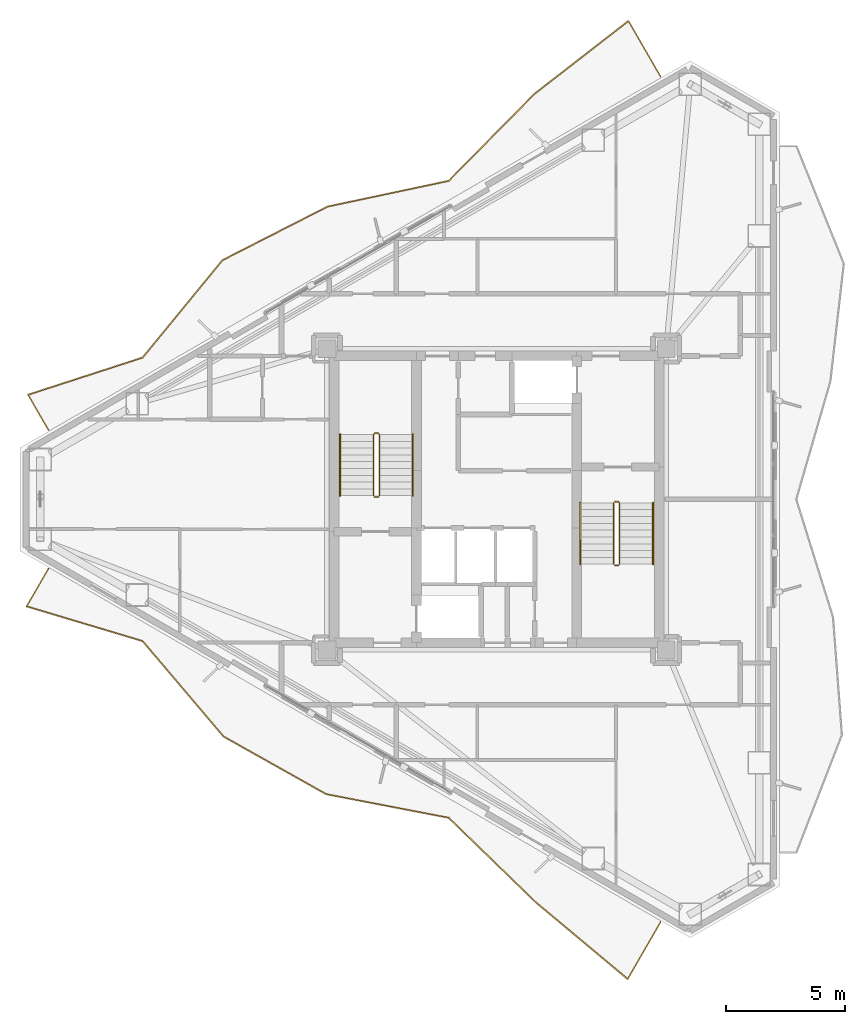
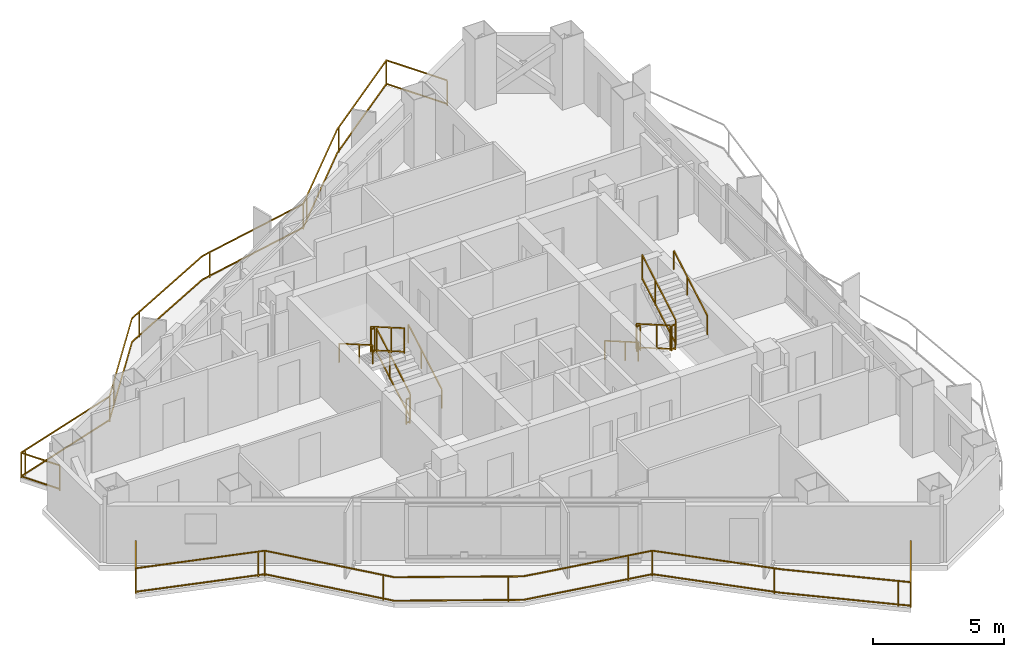
# One storey, part 21 of 22: 14 railings.
"""IFC4 building model written with IfcOpenShell, lengths in metres."""

from ifc_helpers import new_model, si_unit, direction, frame, origin, origin_2d, place, context, subcontext, project, spatial, rectangle, extrude, material, type_object, element, save


model = new_model("IFC4")

# Units and contexts
model_context = context("Model", 3, precision=1e-05, world=origin(), true_north=direction((0.0, 1.0)))
body_context = subcontext(model_context, "Body", "Model", "MODEL_VIEW")
ifc_project = project(units=[si_unit("LENGTHUNIT", "METRE"), si_unit("AREAUNIT", "SQUARE_METRE"), si_unit("VOLUMEUNIT", "CUBIC_METRE"), si_unit("PLANEANGLEUNIT", "RADIAN"), si_unit("MASSUNIT", "GRAM", prefix="KILO")], contexts=[model_context])

# Site, building, storey
site_placement = place(None, origin())
site = spatial("IfcSite", under=ifc_project, at=site_placement, CompositionType="ELEMENT")
building_placement = place(site_placement, origin())
building = spatial("IfcBuilding", under=site, at=building_placement, Name="Mersakhor Tower and Convention Hall", CompositionType="ELEMENT")
storey_placement = place(building_placement, frame((0.0, 0.0, 188.699951171875)))
storey = spatial("IfcBuildingStorey", under=building, at=storey_placement, Name="L52", CompositionType="ELEMENT", Elevation=188.699951171875)

# Railings
ifc_material_1 = material(Name="Powder-coated galvanised steel and laminated glass balustrade", Category="steel")
railing_type_1 = type_object("IfcRailingType", Name="RL-BAL-1200", PredefinedType="BALUSTRADE", material=ifc_material_1)
railing_1_placement = place(storey_placement, frame((35.86669921875, 44.44189453125, 0.0)))
element("IfcRailing", 1, at=railing_1_placement, inside=storey, type_object=railing_type_1, Name="L52 Sinusoidal Balcony Balustrade F1", PredefinedType="BALUSTRADE", context=body_context, shape_type="SweptSolid", body=[
    extrude(rectangle(XDim=0.048095703125, YDim=0.048095703125, at=origin_2d()), frame((0.0, 0.0, 1.17578125), z_axis=(-0.500024397361, 0.866011317503, 0.0), x_axis=(-0.866011317503, -0.500024397361, 0.0)), (0.0, 0.0, 1.0), 2.682861328125),
    extrude(rectangle(XDim=0.048095703125, YDim=0.048095703125, at=origin_2d()), frame((0.0, 0.0, 0.080078125), z_axis=(-0.500024397361, 0.866011317503, 0.0), x_axis=(-0.866011317503, -0.500024397361, 0.0)), (0.0, 0.0, 1.0), 2.682861328125),
    extrude(rectangle(XDim=0.048095703125, YDim=0.048095703125, at=origin_2d()), frame((-1.341552734375, 2.323486328125, 1.17578125), z_axis=(-0.790170348595, -0.612887281807, 0.0), x_axis=(0.612887281807, -0.790170348595, 0.0)), (0.0, 0.0, 1.0), 4.976806640625),
    extrude(rectangle(XDim=0.048095703125, YDim=0.048095703125, at=origin_2d()), frame((-1.341552734375, 2.323486328125, 0.080078125), z_axis=(-0.790170348595, -0.612887281807, 0.0), x_axis=(0.612887281807, -0.790170348595, 0.0)), (0.0, 0.0, 1.0), 4.976806640625),
    extrude(rectangle(XDim=0.048095703125, YDim=0.048095703125, at=origin_2d()), frame((-5.274169921875, -0.726806640625, 1.17578125), z_axis=(-0.702220775927, -0.711959255756, 0.0), x_axis=(0.711959255756, -0.702220775927, 0.0)), (0.0, 0.0, 1.0), 5.1142578125),
    extrude(rectangle(XDim=0.048095703125, YDim=0.048095703125, at=origin_2d()), frame((-5.274169921875, -0.726806640625, 0.080078125), z_axis=(-0.702220775927, -0.711959255756, 0.0), x_axis=(0.711959255756, -0.702220775927, 0.0)), (0.0, 0.0, 1.0), 5.1142578125),
    extrude(rectangle(XDim=0.048095703125, YDim=0.048095703125, at=origin_2d()), frame((-8.865478515625, -4.367919921875, 1.17578125), z_axis=(-0.978161363996, -0.20784692922, 0.0), x_axis=(0.20784692922, -0.978161363996, 0.0)), (0.0, 0.0, 1.0), 5.184814453125),
    extrude(rectangle(XDim=0.048095703125, YDim=0.048095703125, at=origin_2d()), frame((-8.865478515625, -4.367919921875, 0.080078125), z_axis=(-0.978161363996, -0.20784692922, 0.0), x_axis=(0.20784692922, -0.978161363996, 0.0)), (0.0, 0.0, 1.0), 5.184814453125),
    extrude(rectangle(XDim=0.048095703125, YDim=0.048095703125, at=origin_2d()), frame((-13.93701171875, -5.445556640625, 1.17578125), z_axis=(-0.890748388822, -0.454496763256, 0.0), x_axis=(0.454496763256, -0.890748388822, 0.0)), (0.0, 0.0, 1.0), 4.937744140625),
    extrude(rectangle(XDim=0.048095703125, YDim=0.048095703125, at=origin_2d()), frame((-13.93701171875, -5.445556640625, 0.080078125), z_axis=(-0.890748388822, -0.454496763256, 0.0), x_axis=(0.454496763256, -0.890748388822, 0.0)), (0.0, 0.0, 1.0), 4.937744140625),
    extrude(rectangle(XDim=0.048095703125, YDim=0.048095703125, at=origin_2d()), frame((-18.335205078125, -7.689697265625, 1.17578125), z_axis=(-0.634107846121, -0.773244618144, 0.0), x_axis=(0.773244618144, -0.634107846121, 0.0)), (0.0, 0.0, 1.0), 5.269287109375),
    extrude(rectangle(XDim=0.048095703125, YDim=0.048095703125, at=origin_2d()), frame((-18.335205078125, -7.689697265625, 0.080078125), z_axis=(-0.634107846121, -0.773244618144, 0.0), x_axis=(0.773244618144, -0.634107846121, 0.0)), (0.0, 0.0, 1.0), 5.269287109375),
    extrude(rectangle(XDim=0.048095703125, YDim=0.048095703125, at=origin_2d()), frame((-21.676513671875, -11.76416015625, 1.17578125), z_axis=(-0.951166725788, -0.3086775984, 0.0), x_axis=(0.3086775984, -0.951166725788, 0.0)), (0.0, 0.0, 1.0), 5.041259765625),
    extrude(rectangle(XDim=0.048095703125, YDim=0.048095703125, at=origin_2d()), frame((-21.676513671875, -11.76416015625, 0.080078125), z_axis=(-0.951166725788, -0.3086775984, 0.0), x_axis=(0.3086775984, -0.951166725788, 0.0)), (0.0, 0.0, 1.0), 5.041259765625),
    extrude(rectangle(XDim=0.048095703125, YDim=0.048095703125, at=origin_2d()), frame((-26.4716796875, -13.3203125, 1.17578125), z_axis=(0.499954529098, -0.86605165483, 0.0), x_axis=(0.86605165483, 0.499954529098, 0.0)), (0.0, 0.0, 1.0), 1.699951171875),
    extrude(rectangle(XDim=0.048095703125, YDim=0.048095703125, at=origin_2d()), frame((-26.4716796875, -13.3203125, 0.080078125), z_axis=(0.499954529098, -0.86605165483, 0.0), x_axis=(0.86605165483, 0.499954529098, 0.0)), (0.0, 0.0, 1.0), 1.699951171875),
    extrude(rectangle(XDim=0.0419921875, YDim=0.0419921875, at=origin_2d()), origin(), (0.0, 0.0, 1.0), 1.15185546875),
    extrude(rectangle(XDim=0.0419921875, YDim=0.0419921875, at=origin_2d()), frame((-1.341552734375, 2.323486328125, 0.0)), (0.0, 0.0, 1.0), 1.15185546875),
    extrude(rectangle(XDim=0.0419921875, YDim=0.0419921875, at=origin_2d()), frame((-5.13427734375, -0.618408203125, 0.0)), (0.0, 0.0, 1.0), 1.15185546875),
    extrude(rectangle(XDim=0.0419921875, YDim=0.0419921875, at=origin_2d()), frame((-8.5205078125, -4.018310546875, 0.0)), (0.0, 0.0, 1.0), 1.15185546875),
    extrude(rectangle(XDim=0.0419921875, YDim=0.0419921875, at=origin_2d()), frame((-8.865478515625, -4.367919921875, 0.0)), (0.0, 0.0, 1.0), 1.15185546875),
    extrude(rectangle(XDim=0.0419921875, YDim=0.0419921875, at=origin_2d()), frame((-13.560546875, -5.365478515625, 0.0)), (0.0, 0.0, 1.0), 1.15185546875),
    extrude(rectangle(XDim=0.0419921875, YDim=0.0419921875, at=origin_2d()), frame((-17.869873046875, -7.4521484375, 0.0)), (0.0, 0.0, 1.0), 1.15185546875),
    extrude(rectangle(XDim=0.0419921875, YDim=0.0419921875, at=origin_2d()), frame((-21.047607421875, -10.997314453125, 0.0)), (0.0, 0.0, 1.0), 1.15185546875),
    extrude(rectangle(XDim=0.0419921875, YDim=0.0419921875, at=origin_2d()), frame((-21.676513671875, -11.76416015625, 0.0)), (0.0, 0.0, 1.0), 1.15185546875),
    extrude(rectangle(XDim=0.0419921875, YDim=0.0419921875, at=origin_2d()), frame((-26.2421875, -13.245849609375, 0.0)), (0.0, 0.0, 1.0), 1.15185546875),
    extrude(rectangle(XDim=0.0419921875, YDim=0.0419921875, at=origin_2d()), frame((-26.4716796875, -13.3203125, 0.0)), (0.0, 0.0, 1.0), 1.15185546875),
    extrude(rectangle(XDim=0.0419921875, YDim=0.0419921875, at=origin_2d()), frame((-25.621826171875, -14.79248046875, 0.0)), (0.0, 0.0, 1.0), 1.15185546875),
])
railing_2_placement = place(storey_placement, frame((10.244873046875, 23.8505859375, 0.0)))
element("IfcRailing", 2, at=railing_2_placement, inside=storey, type_object=railing_type_1, Name="L52 Sinusoidal Balcony Balustrade F3", PredefinedType="BALUSTRADE", context=body_context, shape_type="SweptSolid", body=[
    extrude(rectangle(XDim=0.048095703125, YDim=0.048095703125, at=origin_2d()), frame((0.0, 0.0, 1.17578125), z_axis=(-0.499977996243, -0.866038107287, 0.0), x_axis=(0.866038107287, -0.499977996243, 0.0)), (0.0, 0.0, 1.0), 1.8193359375),
    extrude(rectangle(XDim=0.048095703125, YDim=0.048095703125, at=origin_2d()), frame((0.0, 0.0, 0.080078125), z_axis=(-0.499977996243, -0.866038107287, 0.0), x_axis=(0.866038107287, -0.499977996243, 0.0)), (0.0, 0.0, 1.0), 1.8193359375),
    extrude(rectangle(XDim=0.048095703125, YDim=0.048095703125, at=origin_2d()), frame((-0.90966796875, -1.57568359375, 1.17578125), z_axis=(0.958035531612, -0.286649472649, 0.0), x_axis=(0.286649472649, 0.958035531612, 0.0)), (0.0, 0.0, 1.0), 5.067626953125),
    extrude(rectangle(XDim=0.048095703125, YDim=0.048095703125, at=origin_2d()), frame((-0.90966796875, -1.57568359375, 0.080078125), z_axis=(0.958035531612, -0.286649472649, 0.0), x_axis=(0.286649472649, 0.958035531612, 0.0)), (0.0, 0.0, 1.0), 5.067626953125),
    extrude(rectangle(XDim=0.048095703125, YDim=0.048095703125, at=origin_2d()), frame((3.9453125, -3.0283203125, 1.17578125), z_axis=(0.646859167824, -0.762609478699, 0.0), x_axis=(0.762609478699, 0.646859167824, 0.0)), (0.0, 0.0, 1.0), 5.237060546875),
    extrude(rectangle(XDim=0.048095703125, YDim=0.048095703125, at=origin_2d()), frame((3.9453125, -3.0283203125, 0.080078125), z_axis=(0.646859167824, -0.762609478699, 0.0), x_axis=(0.762609478699, 0.646859167824, 0.0)), (0.0, 0.0, 1.0), 5.237060546875),
    extrude(rectangle(XDim=0.048095703125, YDim=0.048095703125, at=origin_2d()), frame((7.3330078125, -7.022216796875, 1.17578125), z_axis=(0.871929649471, -0.489631173817, 0.0), x_axis=(0.489631173817, 0.871929649471, 0.0)), (0.0, 0.0, 1.0), 4.931396484375),
    extrude(rectangle(XDim=0.048095703125, YDim=0.048095703125, at=origin_2d()), frame((7.3330078125, -7.022216796875, 0.080078125), z_axis=(0.871929649471, -0.489631173817, 0.0), x_axis=(0.489631173817, 0.871929649471, 0.0)), (0.0, 0.0, 1.0), 4.931396484375),
    extrude(rectangle(XDim=0.048095703125, YDim=0.048095703125, at=origin_2d()), frame((11.6328125, -9.436767578125, 1.17578125), z_axis=(0.981917565874, -0.189308990352, 0.0), x_axis=(0.189308990352, 0.981917565874, 0.0)), (0.0, 0.0, 1.0), 5.2177734375),
    extrude(rectangle(XDim=0.048095703125, YDim=0.048095703125, at=origin_2d()), frame((11.6328125, -9.436767578125, 0.080078125), z_axis=(0.981917565874, -0.189308990352, 0.0), x_axis=(0.189308990352, 0.981917565874, 0.0)), (0.0, 0.0, 1.0), 5.2177734375),
    extrude(rectangle(XDim=0.048095703125, YDim=0.048095703125, at=origin_2d()), frame((16.75634765625, -10.424560546875, 1.17578125), z_axis=(0.7178516704, -0.696196078202, 0.0), x_axis=(0.696196078202, 0.7178516704, 0.0)), (0.0, 0.0, 1.0), 5.08447265625),
    extrude(rectangle(XDim=0.048095703125, YDim=0.048095703125, at=origin_2d()), frame((16.75634765625, -10.424560546875, 0.080078125), z_axis=(0.7178516704, -0.696196078202, 0.0), x_axis=(0.696196078202, 0.7178516704, 0.0)), (0.0, 0.0, 1.0), 5.08447265625),
    extrude(rectangle(XDim=0.048095703125, YDim=0.048095703125, at=origin_2d()), frame((20.40625, -13.96435546875, 1.17578125), z_axis=(0.767561135423, -0.640975743213, 0.0), x_axis=(0.640975743213, 0.767561135423, 0.0)), (0.0, 0.0, 1.0), 5.0048828125),
    extrude(rectangle(XDim=0.048095703125, YDim=0.048095703125, at=origin_2d()), frame((20.40625, -13.96435546875, 0.080078125), z_axis=(0.767561135423, -0.640975743213, 0.0), x_axis=(0.640975743213, 0.767561135423, 0.0)), (0.0, 0.0, 1.0), 5.0048828125),
    extrude(rectangle(XDim=0.048095703125, YDim=0.048095703125, at=origin_2d()), frame((24.247802734375, -17.17236328125, 1.17578125), z_axis=(0.499999305434, 0.866025804792, 0.0), x_axis=(-0.866025804792, 0.499999305434, 0.0)), (0.0, 0.0, 1.0), 2.748046875),
    extrude(rectangle(XDim=0.048095703125, YDim=0.048095703125, at=origin_2d()), frame((24.247802734375, -17.17236328125, 0.080078125), z_axis=(0.499999305434, 0.866025804792, 0.0), x_axis=(-0.866025804792, 0.499999305434, 0.0)), (0.0, 0.0, 1.0), 2.748046875),
    extrude(rectangle(XDim=0.0419921875, YDim=0.0419921875, at=origin_2d()), origin(), (0.0, 0.0, 1.0), 1.15185546875),
    extrude(rectangle(XDim=0.0419921875, YDim=0.0419921875, at=origin_2d()), frame((-0.90966796875, -1.57568359375, 0.0)), (0.0, 0.0, 1.0), 1.15185546875),
    extrude(rectangle(XDim=0.0419921875, YDim=0.0419921875, at=origin_2d()), frame((3.68896484375, -2.95166015625, 0.0)), (0.0, 0.0, 1.0), 1.15185546875),
    extrude(rectangle(XDim=0.0419921875, YDim=0.0419921875, at=origin_2d()), frame((3.9453125, -3.0283203125, 0.0)), (0.0, 0.0, 1.0), 1.15185546875),
    extrude(rectangle(XDim=0.0419921875, YDim=0.0419921875, at=origin_2d()), frame((7.05029296875, -6.68896484375, 0.0)), (0.0, 0.0, 1.0), 1.15185546875),
    extrude(rectangle(XDim=0.0419921875, YDim=0.0419921875, at=origin_2d()), frame((11.13720703125, -9.158447265625, 0.0)), (0.0, 0.0, 1.0), 1.15185546875),
    extrude(rectangle(XDim=0.0419921875, YDim=0.0419921875, at=origin_2d()), frame((15.787841796875, -10.23779296875, 0.0)), (0.0, 0.0, 1.0), 1.15185546875),
    extrude(rectangle(XDim=0.0419921875, YDim=0.0419921875, at=origin_2d()), frame((16.75634765625, -10.424560546875, 0.0)), (0.0, 0.0, 1.0), 1.15185546875),
    extrude(rectangle(XDim=0.0419921875, YDim=0.0419921875, at=origin_2d()), frame((20.2021484375, -13.766357421875, 0.0)), (0.0, 0.0, 1.0), 1.15185546875),
    extrude(rectangle(XDim=0.0419921875, YDim=0.0419921875, at=origin_2d()), frame((23.8720703125, -16.858642578125, 0.0)), (0.0, 0.0, 1.0), 1.15185546875),
    extrude(rectangle(XDim=0.0419921875, YDim=0.0419921875, at=origin_2d()), frame((24.247802734375, -17.17236328125, 0.0)), (0.0, 0.0, 1.0), 1.15185546875),
    extrude(rectangle(XDim=0.0419921875, YDim=0.0419921875, at=origin_2d()), frame((25.621826171875, -14.79248046875, 0.0)), (0.0, 0.0, 1.0), 1.15185546875),
])
ifc_material_2 = material(Name="Brushed stainless steel handrail", Category="steel")
railing_type_2 = type_object("IfcRailingType", Name="RL-HR-900", PredefinedType="HANDRAIL", material=ifc_material_2)
railing_3_placement = place(storey_placement, frame((25.5, 26.89990234375, 0.1650390625)))
element("IfcRailing", 3, at=railing_3_placement, inside=storey, type_object=railing_type_2, Name="L52 ST-1 stair handrail 1", PredefinedType="HANDRAIL", context=body_context, shape_type="SweptSolid", body=[
    extrude(rectangle(XDim=0.048095703125, YDim=0.048095703125, at=origin_2d()), frame((0.0, 0.0, 0.8759765625), z_axis=(0.0, 0.865426285481, 0.501036270542), x_axis=(-1.0, 0.0, 0.0)), (0.0, 0.0, 1.0), 2.964111328125),
    extrude(rectangle(XDim=0.0419921875, YDim=0.0419921875, at=origin_2d()), origin(), (0.0, 0.0, 1.0), 0.851806640625),
    extrude(rectangle(XDim=0.0419921875, YDim=0.0419921875, at=origin_2d()), frame((0.0, 1.557861328125, 0.90185546875)), (0.0, 0.0, 1.0), 0.851806640625),
    extrude(rectangle(XDim=0.0419921875, YDim=0.0419921875, at=origin_2d()), frame((0.0, 2.565185546875, 1.485107421875)), (0.0, 0.0, 1.0), 0.851806640625),
])
for number, where, name in (
    (4, (22.449951171875, 29.465087890625, 1.81494140625), "L52 ST-1 stair handrail 2"),
    (5, (32.5, 26.60009765625, 0.1650390625), "L52 ST-2 stair handrail 1"),
):
    element("IfcRailing", number, at=place(storey_placement, frame(where)), inside=storey, type_object=railing_type_2, Name=name, PredefinedType="HANDRAIL", context=body_context, shape_type="SweptSolid", body=[
        extrude(rectangle(XDim=0.048095703125, YDim=0.048095703125, at=origin_2d()), frame((0.0, 0.0, 0.8759765625), z_axis=(0.0, -0.865426285481, 0.501036270542), x_axis=(1.0, 0.0, 0.0)), (0.0, 0.0, 1.0), 2.964111328125),
        extrude(rectangle(XDim=0.0419921875, YDim=0.0419921875, at=origin_2d()), origin(), (0.0, 0.0, 1.0), 0.851806640625),
        extrude(rectangle(XDim=0.0419921875, YDim=0.0419921875, at=origin_2d()), frame((0.0, -1.557861328125, 0.90185546875)), (0.0, 0.0, 1.0), 0.851806640625),
        extrude(rectangle(XDim=0.0419921875, YDim=0.0419921875, at=origin_2d()), frame((0.0, -2.565185546875, 1.485107421875)), (0.0, 0.0, 1.0), 0.851806640625),
    ])
railing_4_placement = place(storey_placement, frame((35.550048828125, 24.034912109375, 1.81494140625)))
element("IfcRailing", 6, at=railing_4_placement, inside=storey, type_object=railing_type_2, Name="L52 ST-2 stair handrail 2", PredefinedType="HANDRAIL", context=body_context, shape_type="SweptSolid", body=[
    extrude(rectangle(XDim=0.048095703125, YDim=0.048095703125, at=origin_2d()), frame((0.0, 0.0, 0.8759765625), z_axis=(0.0, 0.865426285481, 0.501036270542), x_axis=(-1.0, 0.0, 0.0)), (0.0, 0.0, 1.0), 2.964111328125),
    extrude(rectangle(XDim=0.0419921875, YDim=0.0419921875, at=origin_2d()), origin(), (0.0, 0.0, 1.0), 0.851806640625),
    extrude(rectangle(XDim=0.0419921875, YDim=0.0419921875, at=origin_2d()), frame((0.0, 1.557861328125, 0.90185546875)), (0.0, 0.0, 1.0), 0.851806640625),
    extrude(rectangle(XDim=0.0419921875, YDim=0.0419921875, at=origin_2d()), frame((0.0, 2.565185546875, 1.485107421875)), (0.0, 0.0, 1.0), 0.851806640625),
])
ifc_material_3 = material(Name="Painted steel stair balustrade S355", Category="steel")
railing_type_3 = type_object("IfcRailingType", Name="RL-STG-1200", PredefinedType="BALUSTRADE", material=ifc_material_3)
railing_5_placement = place(storey_placement, frame((24.10009765625, 26.89990234375, 0.1650390625)))
element("IfcRailing", 7, at=railing_5_placement, inside=storey, type_object=railing_type_3, Name="L52 ST-1 stair guard 1", PredefinedType="BALUSTRADE", context=body_context, shape_type="SweptSolid", body=[
    extrude(rectangle(XDim=0.048095703125, YDim=0.048095703125, at=origin_2d()), frame((0.0, 0.0, 1.17578125), z_axis=(0.0, 0.865426285481, 0.501036270542), x_axis=(-1.0, 0.0, 0.0)), (0.0, 0.0, 1.0), 2.964111328125),
    extrude(rectangle(XDim=0.048095703125, YDim=0.048095703125, at=origin_2d()), frame((0.0, 0.0, 0.080078125), z_axis=(0.0, 0.865426285481, 0.501036270542), x_axis=(-1.0, 0.0, 0.0)), (0.0, 0.0, 1.0), 2.964111328125),
    extrude(rectangle(XDim=0.0419921875, YDim=0.0419921875, at=origin_2d()), origin(), (0.0, 0.0, 1.0), 1.15185546875),
    extrude(rectangle(XDim=0.0419921875, YDim=0.0419921875, at=origin_2d()), frame((0.0, 1.557861328125, 0.90185546875)), (0.0, 0.0, 1.0), 1.15185546875),
    extrude(rectangle(XDim=0.0419921875, YDim=0.0419921875, at=origin_2d()), frame((0.0, 2.565185546875, 1.485107421875)), (0.0, 0.0, 1.0), 1.15185546875),
])
railing_6_placement = place(storey_placement, frame((24.050048828125, 29.514892578125, 1.650146484375)))
element("IfcRailing", 8, at=railing_6_placement, inside=storey, type_object=railing_type_3, Name="L52 ST-1 stair guard 2", PredefinedType="BALUSTRADE", context=body_context, shape_type="SweptSolid", body=[
    extrude(rectangle(XDim=0.048095703125, YDim=0.048095703125, at=origin_2d()), frame((0.0, 0.0, 1.17578125), z_axis=(-1.0, 0.0, 0.0), x_axis=(0.0, -1.0, 0.0)), (0.0, 0.0, 1.0), 0.150146484375),
    extrude(rectangle(XDim=0.048095703125, YDim=0.048095703125, at=origin_2d()), frame((0.0, 0.0, 0.080078125), z_axis=(-1.0, 0.0, 0.0), x_axis=(0.0, -1.0, 0.0)), (0.0, 0.0, 1.0), 0.150146484375),
    extrude(rectangle(XDim=0.0419921875, YDim=0.0419921875, at=origin_2d()), origin(), (0.0, 0.0, 1.0), 1.15185546875),
    extrude(rectangle(XDim=0.0419921875, YDim=0.0419921875, at=origin_2d()), frame((-0.150146484375, 0.0, 0.0)), (0.0, 0.0, 1.0), 1.15185546875),
])
railing_7_placement = place(storey_placement, frame((23.85009765625, 29.465087890625, 1.81494140625)))
element("IfcRailing", 9, at=railing_7_placement, inside=storey, type_object=railing_type_3, Name="L52 ST-1 stair guard 3", PredefinedType="BALUSTRADE", context=body_context, shape_type="SweptSolid", body=[
    extrude(rectangle(XDim=0.048095703125, YDim=0.048095703125, at=origin_2d()), frame((0.0, 0.0, 1.17578125), z_axis=(0.0, -0.865426285481, 0.501036270542), x_axis=(1.0, 0.0, 0.0)), (0.0, 0.0, 1.0), 2.964111328125),
    extrude(rectangle(XDim=0.048095703125, YDim=0.048095703125, at=origin_2d()), frame((0.0, 0.0, 0.080078125), z_axis=(0.0, -0.865426285481, 0.501036270542), x_axis=(1.0, 0.0, 0.0)), (0.0, 0.0, 1.0), 2.964111328125),
    extrude(rectangle(XDim=0.0419921875, YDim=0.0419921875, at=origin_2d()), origin(), (0.0, 0.0, 1.0), 1.15185546875),
    extrude(rectangle(XDim=0.0419921875, YDim=0.0419921875, at=origin_2d()), frame((0.0, -1.557861328125, 0.90185546875)), (0.0, 0.0, 1.0), 1.15185546875),
    extrude(rectangle(XDim=0.0419921875, YDim=0.0419921875, at=origin_2d()), frame((0.0, -2.565185546875, 1.485107421875)), (0.0, 0.0, 1.0), 1.15185546875),
])
railing_8_placement = place(storey_placement, frame((24.050048828125, 26.85009765625, 0.0)))
element("IfcRailing", 10, at=railing_8_placement, inside=storey, type_object=railing_type_3, Name="L52 ST-1 stair guard 4", PredefinedType="BALUSTRADE", context=body_context, shape_type="SweptSolid", body=[
    extrude(rectangle(XDim=0.048095703125, YDim=0.048095703125, at=origin_2d()), frame((0.0, 0.0, 1.17578125), z_axis=(-1.0, 0.0, 0.0), x_axis=(0.0, -1.0, 0.0)), (0.0, 0.0, 1.0), 0.150146484375),
    extrude(rectangle(XDim=0.048095703125, YDim=0.048095703125, at=origin_2d()), frame((0.0, 0.0, 0.080078125), z_axis=(-1.0, 0.0, 0.0), x_axis=(0.0, -1.0, 0.0)), (0.0, 0.0, 1.0), 0.150146484375),
    extrude(rectangle(XDim=0.0419921875, YDim=0.0419921875, at=origin_2d()), origin(), (0.0, 0.0, 1.0), 1.15185546875),
    extrude(rectangle(XDim=0.0419921875, YDim=0.0419921875, at=origin_2d()), frame((-0.150146484375, 0.0, 0.0)), (0.0, 0.0, 1.0), 1.15185546875),
])
railing_9_placement = place(storey_placement, frame((33.89990234375, 26.60009765625, 0.1650390625)))
element("IfcRailing", 11, at=railing_9_placement, inside=storey, type_object=railing_type_3, Name="L52 ST-2 stair guard 1", PredefinedType="BALUSTRADE", context=body_context, shape_type="SweptSolid", body=[
    extrude(rectangle(XDim=0.048095703125, YDim=0.048095703125, at=origin_2d()), frame((0.0, 0.0, 1.17578125), z_axis=(0.0, -0.865426285481, 0.501036270542), x_axis=(1.0, 0.0, 0.0)), (0.0, 0.0, 1.0), 2.964111328125),
    extrude(rectangle(XDim=0.048095703125, YDim=0.048095703125, at=origin_2d()), frame((0.0, 0.0, 0.080078125), z_axis=(0.0, -0.865426285481, 0.501036270542), x_axis=(1.0, 0.0, 0.0)), (0.0, 0.0, 1.0), 2.964111328125),
    extrude(rectangle(XDim=0.0419921875, YDim=0.0419921875, at=origin_2d()), origin(), (0.0, 0.0, 1.0), 1.15185546875),
    extrude(rectangle(XDim=0.0419921875, YDim=0.0419921875, at=origin_2d()), frame((0.0, -1.557861328125, 0.90185546875)), (0.0, 0.0, 1.0), 1.15185546875),
    extrude(rectangle(XDim=0.0419921875, YDim=0.0419921875, at=origin_2d()), frame((0.0, -2.565185546875, 1.485107421875)), (0.0, 0.0, 1.0), 1.15185546875),
])
railing_10_placement = place(storey_placement, frame((33.949951171875, 23.985107421875, 1.650146484375)))
element("IfcRailing", 12, at=railing_10_placement, inside=storey, type_object=railing_type_3, Name="L52 ST-2 stair guard 2", PredefinedType="BALUSTRADE", context=body_context, shape_type="SweptSolid", body=[
    extrude(rectangle(XDim=0.048095703125, YDim=0.048095703125, at=origin_2d()), frame((0.0, 0.0, 1.17578125), z_axis=(1.0, 0.0, 0.0), x_axis=(0.0, 1.0, 0.0)), (0.0, 0.0, 1.0), 0.150146484375),
    extrude(rectangle(XDim=0.048095703125, YDim=0.048095703125, at=origin_2d()), frame((0.0, 0.0, 0.080078125), z_axis=(1.0, 0.0, 0.0), x_axis=(0.0, 1.0, 0.0)), (0.0, 0.0, 1.0), 0.150146484375),
    extrude(rectangle(XDim=0.0419921875, YDim=0.0419921875, at=origin_2d()), origin(), (0.0, 0.0, 1.0), 1.15185546875),
    extrude(rectangle(XDim=0.0419921875, YDim=0.0419921875, at=origin_2d()), frame((0.150146484375, 0.0, 0.0)), (0.0, 0.0, 1.0), 1.15185546875),
])
railing_11_placement = place(storey_placement, frame((34.14990234375, 24.034912109375, 1.81494140625)))
element("IfcRailing", 13, at=railing_11_placement, inside=storey, type_object=railing_type_3, Name="L52 ST-2 stair guard 3", PredefinedType="BALUSTRADE", context=body_context, shape_type="SweptSolid", body=[
    extrude(rectangle(XDim=0.048095703125, YDim=0.048095703125, at=origin_2d()), frame((0.0, 0.0, 1.17578125), z_axis=(0.0, 0.865426285481, 0.501036270542), x_axis=(-1.0, 0.0, 0.0)), (0.0, 0.0, 1.0), 2.964111328125),
    extrude(rectangle(XDim=0.048095703125, YDim=0.048095703125, at=origin_2d()), frame((0.0, 0.0, 0.080078125), z_axis=(0.0, 0.865426285481, 0.501036270542), x_axis=(-1.0, 0.0, 0.0)), (0.0, 0.0, 1.0), 2.964111328125),
    extrude(rectangle(XDim=0.0419921875, YDim=0.0419921875, at=origin_2d()), origin(), (0.0, 0.0, 1.0), 1.15185546875),
    extrude(rectangle(XDim=0.0419921875, YDim=0.0419921875, at=origin_2d()), frame((0.0, 1.557861328125, 0.90185546875)), (0.0, 0.0, 1.0), 1.15185546875),
    extrude(rectangle(XDim=0.0419921875, YDim=0.0419921875, at=origin_2d()), frame((0.0, 2.565185546875, 1.485107421875)), (0.0, 0.0, 1.0), 1.15185546875),
])
railing_12_placement = place(storey_placement, frame((33.949951171875, 26.64990234375, 0.0)))
element("IfcRailing", 14, at=railing_12_placement, inside=storey, type_object=railing_type_3, Name="L52 ST-2 stair guard 4", PredefinedType="BALUSTRADE", context=body_context, shape_type="SweptSolid", body=[
    extrude(rectangle(XDim=0.048095703125, YDim=0.048095703125, at=origin_2d()), frame((0.0, 0.0, 1.17578125), z_axis=(1.0, 0.0, 0.0), x_axis=(0.0, 1.0, 0.0)), (0.0, 0.0, 1.0), 0.150146484375),
    extrude(rectangle(XDim=0.048095703125, YDim=0.048095703125, at=origin_2d()), frame((0.0, 0.0, 0.080078125), z_axis=(1.0, 0.0, 0.0), x_axis=(0.0, 1.0, 0.0)), (0.0, 0.0, 1.0), 0.150146484375),
    extrude(rectangle(XDim=0.0419921875, YDim=0.0419921875, at=origin_2d()), origin(), (0.0, 0.0, 1.0), 1.15185546875),
    extrude(rectangle(XDim=0.0419921875, YDim=0.0419921875, at=origin_2d()), frame((0.150146484375, 0.0, 0.0)), (0.0, 0.0, 1.0), 1.15185546875),
])

save(model, "model.ifc")
